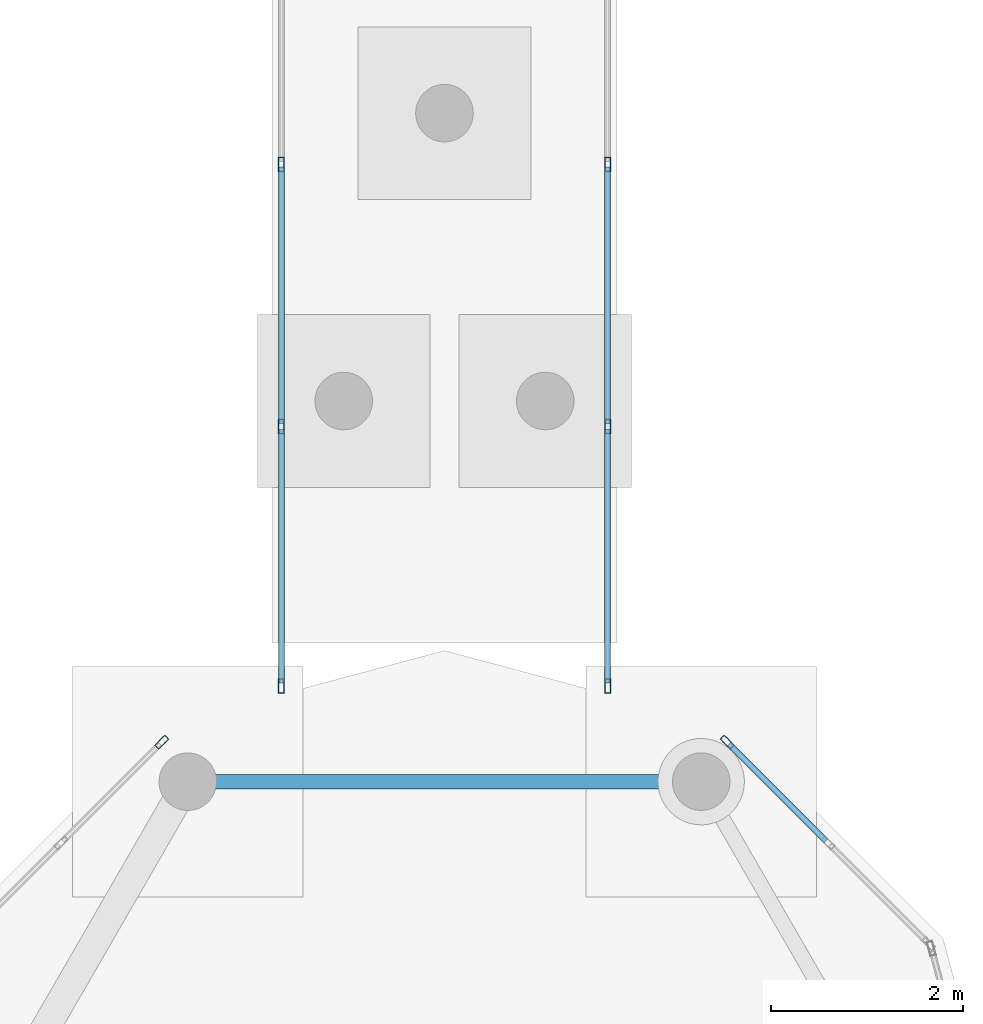
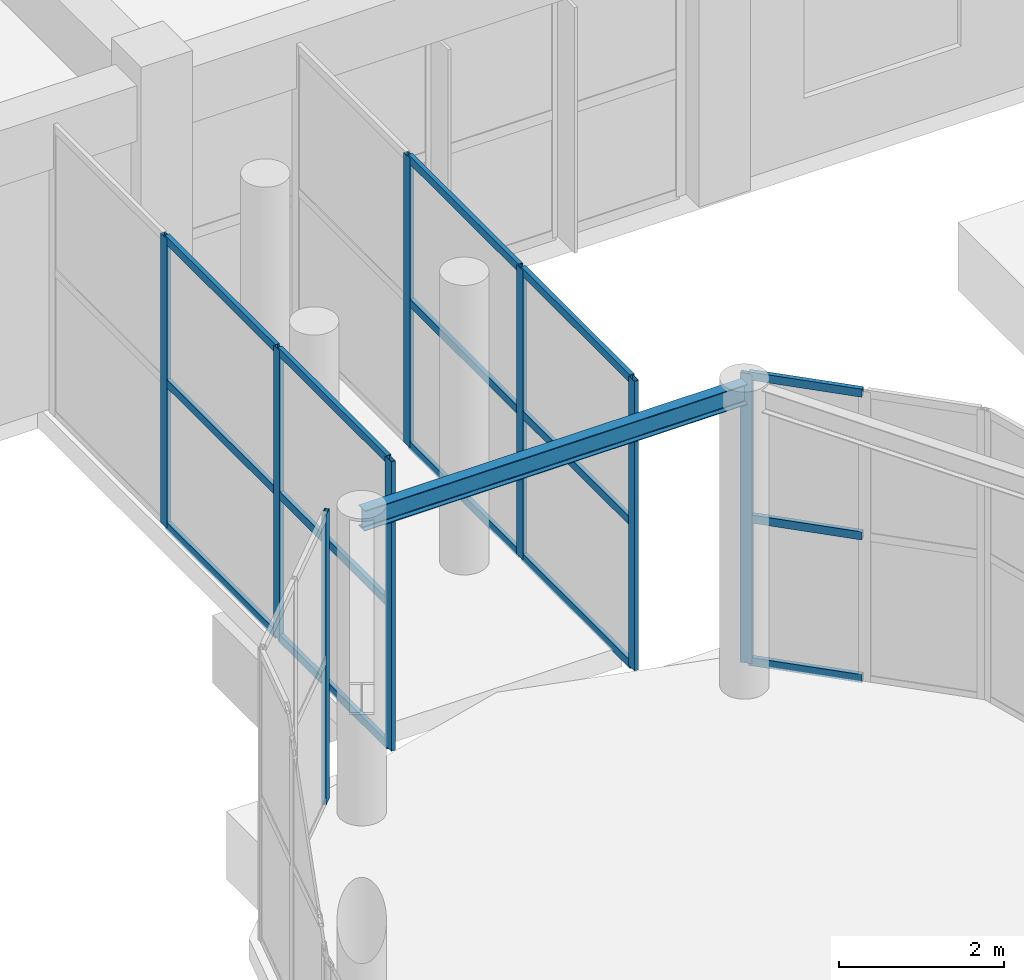
# One storey, part 61 of 139: 23 members, 1 beam, 4 elements without a shape of their own.
"""IFC4 building model written with IfcOpenShell, lengths in metres."""

import ifcopenshell
import ifcopenshell.guid

model = None  # the IFC model being written
_history = None  # IfcOwnerHistory: only IFC2X3 demands one
_inside = {}  # id of a spatial element -> (the spatial element, [elements in it])
_under = {}  # id of a project, library or spatial element -> (it, [spatial elements below it])
_declared = {}  # id of a project -> (the project, [libraries it declares])
_typed = {}  # id of a type object -> (the type object, [elements of that type])
_made_of = {}  # id of a material, layer set ... -> (it, [elements and type objects made of it])


def new_model(schema):
    """Start an empty IFC model of exactly this schema.

    Asked for "IFC4X3", IfcOpenShell would pick the latest addendum, in which some entities
    have other attributes; the version numbers below select the first issue.
    IFC2X3 requires an IfcOwnerHistory on every rooted entity: one is made here for all.
    """
    global model, _history
    if schema == "IFC4X3":
        model = ifcopenshell.file(schema_version=(4, 3, 0, 0))
    else:
        model = ifcopenshell.file(schema=schema)
    _inside.clear()
    _under.clear()
    _declared.clear()
    _typed.clear()
    _made_of.clear()
    _history = None
    if model.schema == "IFC2X3":
        org = make("IfcOrganization", Name="unknown")
        user = make(
            "IfcPersonAndOrganization",
            ThePerson=make("IfcPerson", FamilyName="unknown"),
            TheOrganization=org,
        )
        app = make(
            "IfcApplication",
            ApplicationDeveloper=org,
            Version="unknown",
            ApplicationFullName="unknown",
            ApplicationIdentifier="unknown",
        )
        _history = make(
            "IfcOwnerHistory",
            OwningUser=user,
            OwningApplication=app,
            ChangeAction="ADDED",
            CreationDate=0,
        )
    return model


def make(cls, **values):
    """One entity of the class cls with the attributes given. An attribute that is None is left unset."""
    return model.create_entity(
        cls, **{name: value for name, value in values.items() if value is not None}
    )


def rooted(cls, **values):
    """An entity with a GlobalId (a new one), such as an element, a storey or a relation."""
    return make(cls, GlobalId=ifcopenshell.guid.new(), OwnerHistory=_history, **values)


def si_unit(unit_type, name, prefix=None):
    """IfcSIUnit, for example si_unit("LENGTHUNIT", "METRE", prefix="MILLI")."""
    return make("IfcSIUnit", UnitType=unit_type, Prefix=prefix, Name=name)


def assignment(units):
    """IfcUnitAssignment: the units of a project."""
    return None if units is None else make("IfcUnitAssignment", Units=units)


def point(xyz):
    """IfcCartesianPoint."""
    return None if xyz is None else make("IfcCartesianPoint", Coordinates=xyz)


def direction(xyz):
    """IfcDirection."""
    return None if xyz is None else make("IfcDirection", DirectionRatios=xyz)


def frame(location, z_axis=None, x_axis=None):
    """IfcAxis2Placement3D, a coordinate frame: its origin and axes. An axis left out is left unset."""
    return make(
        "IfcAxis2Placement3D",
        Location=point(location),
        Axis=direction(z_axis),
        RefDirection=direction(x_axis),
    )


def frame_2d(location, x_axis=None):
    """IfcAxis2Placement2D, a coordinate frame in the plane: its origin and x axis."""
    return make(
        "IfcAxis2Placement2D", Location=point(location), RefDirection=direction(x_axis)
    )


def origin():
    """The frame at (0, 0, 0) with its axes left unset."""
    return frame((0.0, 0.0, 0.0))


def origin_2d():
    """The frame at (0, 0) in the plane with its x axis left unset."""
    return frame_2d((0.0, 0.0))


def place(relative_to, where):
    """IfcLocalPlacement: puts the frame where relative to a parent placement (None: the world)."""
    return make(
        "IfcLocalPlacement", PlacementRelTo=relative_to, RelativePlacement=where
    )


def context(
    kind, dimensions, precision=None, world=None, true_north=None, identifier=None
):
    """IfcGeometricRepresentationContext, for example the 3D "Model" context."""
    return make(
        "IfcGeometricRepresentationContext",
        ContextIdentifier=identifier,
        ContextType=kind,
        CoordinateSpaceDimension=dimensions,
        Precision=precision,
        WorldCoordinateSystem=world,
        TrueNorth=true_north,
    )


def subcontext(parent, identifier, kind, view, scale=None):
    """IfcGeometricRepresentationSubContext, for example "Body" below "Model"."""
    return make(
        "IfcGeometricRepresentationSubContext",
        ContextIdentifier=identifier,
        ContextType=kind,
        ParentContext=parent,
        TargetScale=scale,
        TargetView=view,
    )


def project(units=None, contexts=None):
    """IfcProject with its units and contexts."""
    return rooted(
        "IfcProject",
        Name="project",
        RepresentationContexts=contexts,
        UnitsInContext=assignment(units),
    )


def spatial(cls, under=None, at=None, **own):
    """A site, building, storey or space (cls), placed at a placement, below another one or the project."""
    s = rooted(cls, ObjectPlacement=at, **own)
    if under is not None:
        _under.setdefault(under.id(), (under, []))[1].append(s)
    return s


def profile(cls, at=None, kind="AREA", **sizes):
    """A parametric profile (cls). Its sizes go by their IFC names, for example OverallWidth=200.0."""
    return make(cls, ProfileType=kind, Position=at, **sizes)


def hollow_rectangle(**sizes):
    """IfcRectangleHollowProfileDef."""
    return profile("IfcRectangleHollowProfileDef", **sizes)


def i_section(**sizes):
    """IfcIShapeProfileDef."""
    return profile("IfcIShapeProfileDef", **sizes)


def extrude(swept, where, along, depth):
    """IfcExtrudedAreaSolid: the profile swept, set in the frame where, extruded along a direction by depth."""
    return make(
        "IfcExtrudedAreaSolid",
        SweptArea=swept,
        Position=where,
        ExtrudedDirection=direction(along),
        Depth=depth,
    )


def shape(context_of_items, identifier, shape_type, items):
    """IfcShapeRepresentation: the items that make up one representation, for example the "Body"."""
    return make(
        "IfcShapeRepresentation",
        ContextOfItems=context_of_items,
        RepresentationIdentifier=identifier,
        RepresentationType=shape_type,
        Items=items,
    )


def material(Name=None, Category=None):
    """IfcMaterial."""
    return make("IfcMaterial", Name=Name, Category=Category)


def layer(
    of_material, thickness, ventilated=None, Name=None, Category=None, Priority=None
):
    """IfcMaterialLayer: one layer of a wall or slab, of a material (None: an air gap)."""
    return make(
        "IfcMaterialLayer",
        Material=of_material,
        LayerThickness=thickness,
        IsVentilated=ventilated,
        Name=Name,
        Category=Category,
        Priority=Priority,
    )


def layer_set(layers, Name=None):
    """IfcMaterialLayerSet."""
    return make("IfcMaterialLayerSet", MaterialLayers=layers, LayerSetName=Name)


def material_profile(
    of_material, cross_section, Name=None, Category=None, Priority=None
):
    """IfcMaterialProfile: a cross section and its material."""
    return make(
        "IfcMaterialProfile",
        Name=Name,
        Material=of_material,
        Profile=cross_section,
        Priority=Priority,
        Category=Category,
    )


def profile_set(profiles, Name=None, composite=None):
    """IfcMaterialProfileSet."""
    return make(
        "IfcMaterialProfileSet",
        Name=Name,
        MaterialProfiles=profiles,
        CompositeProfile=composite,
    )


def made_of(thing, what):
    """Note that an element or type object is made of a material, layer set ...; save() writes the relation."""
    if what is not None:
        _made_of.setdefault(what.id(), (what, []))[1].append(thing)
    return thing


def type_object(cls, material=None, **own):
    """A type object (cls), such as IfcWallType, which elements share."""
    return made_of(rooted(cls, **own), material)


def element(
    cls,
    number,
    at=None,
    inside=None,
    cuts=None,
    type_object=None,
    material=None,
    context=None,
    identifier="Body",
    shape_type=None,
    held_by="IfcProductDefinitionShape",
    body=None,
    shapes=None,
    **own,
):
    """One element of the class cls, such as IfcWall. Its Tag is "e" and its number.

    at: its placement. inside: the storey or other place that contains it. cuts: it is an
    opening in that element (IfcRelVoidsElement). A single representation is given by context,
    identifier, shape_type and body (its items); several are given by shapes. held_by: the class
    of the entity that holds the representations. save() writes the other relations.
    """
    e = rooted(cls, Tag="e%d" % number, ObjectPlacement=at, **own)
    if body is not None:
        shapes = [shape(context, identifier, shape_type, body)]
    if shapes is not None:
        e.Representation = make(held_by, Representations=shapes)
    if inside is not None:
        _inside.setdefault(inside.id(), (inside, []))[1].append(e)
    if cuts is not None:
        rooted(
            "IfcRelVoidsElement", RelatingBuildingElement=cuts, RelatedOpeningElement=e
        )
    if type_object is not None:
        _typed.setdefault(type_object.id(), (type_object, []))[1].append(e)
    return made_of(e, material)


def aggregate(whole, parts):
    """IfcRelAggregates: a whole, such as a stair, and the parts it consists of."""
    return rooted("IfcRelAggregates", RelatingObject=whole, RelatedObjects=parts)


def save(model, path):
    """Write the relations noted so far, then the file.

    IfcRelAggregates (storeys below a building ...), IfcRelContainedInSpatialStructure (elements
    in a storey), IfcRelDefinesByType, IfcRelAssociatesMaterial and IfcRelDeclares: one each for
    every whole, place, type object, material and project.
    """
    for whole, parts in _under.values():
        aggregate(whole, parts)
    for where, things in _inside.values():
        rooted(
            "IfcRelContainedInSpatialStructure",
            RelatedElements=things,
            RelatingStructure=where,
        )
    for kind, things in _typed.values():
        rooted("IfcRelDefinesByType", RelatedObjects=things, RelatingType=kind)
    for what, things in _made_of.values():
        rooted("IfcRelAssociatesMaterial", RelatedObjects=things, RelatingMaterial=what)
    for by, libraries in _declared.values():
        rooted("IfcRelDeclares", RelatingContext=by, RelatedDefinitions=libraries)
    model.write(path)


model = new_model("IFC4")

# Units and contexts
model_context = context("Model", 3, precision=1e-05, world=origin(), true_north=direction((0.0, 1.0)))
body_context = subcontext(model_context, "Body", "Model", "MODEL_VIEW")
ifc_project = project(units=[si_unit("LENGTHUNIT", "METRE"), si_unit("AREAUNIT", "SQUARE_METRE"), si_unit("VOLUMEUNIT", "CUBIC_METRE"), si_unit("PLANEANGLEUNIT", "RADIAN"), si_unit("MASSUNIT", "GRAM", prefix="KILO")], contexts=[model_context])

# Site, building, storey
site_placement = place(None, origin())
site = spatial("IfcSite", under=ifc_project, at=site_placement, CompositionType="ELEMENT")
building_placement = place(site_placement, origin())
building = spatial("IfcBuilding", under=site, at=building_placement, Name="Zizhar Promenade General Hospital", CompositionType="ELEMENT")
storey_placement = place(building_placement, origin())
storey = spatial("IfcBuildingStorey", under=building, at=storey_placement, Name="L00", CompositionType="ELEMENT", Elevation=0.0)

# Beam
ifc_material_1 = material(Name="Steel S355", Category="steel")
ifc_material_profile_1 = material_profile(ifc_material_1, i_section(OverallWidth=0.14990234375, OverallDepth=0.300048828125, WebThickness=0.007080078125, FlangeThickness=0.0107421875, FilletRadius=0.014892578125, at=origin_2d()))
ifc_profile_set_1 = profile_set([ifc_material_profile_1], Name="Steel S355")
beam_type = type_object("IfcBeamType", Name="BM-STL-IPE300", PredefinedType="JOIST", material=ifc_profile_set_1)
beam_placement = place(storey_placement, frame((166.675048828125, 32.63330078125, 4.340087890625), z_axis=(-1.0, 0.0, 0.0), x_axis=(0.0, -1.0, 0.0)))
element("IfcBeam", 1, at=beam_placement, inside=storey, type_object=beam_type, Name="PAV-2 Roof Ring Beam 2", PredefinedType="JOIST", context=body_context, shape_type="SweptSolid", body=[
    extrude(i_section(OverallWidth=0.14990234375, OverallDepth=0.300048828125, WebThickness=0.007080078125, FlangeThickness=0.0107421875, FilletRadius=0.014892578125, at=origin_2d()), origin(), (0.0, 0.0, 1.0), 5.35009765625),
])

# Curtain wall, member
ifc_material_2 = material(Name="Anodised aluminium 6063-T6 and low-E glass", Category="aluminium")
ifc_layer = layer(ifc_material_2, 0.159912109375)
ifc_layer_set = layer_set([ifc_layer], Name="Anodised aluminium 6063-T6 and low-E glass")
curtain_wall_type = type_object("IfcCurtainWallType", Name="CW-PAV-GLZ", PredefinedType="NOTDEFINED", material=ifc_layer_set)
curtain_wall_1_placement = place(storey_placement, origin())
curtain_wall_1 = element("IfcCurtainWall", 2, at=curtain_wall_1_placement, inside=storey, type_object=curtain_wall_type, Name="Pharmacy Collection Pavilion Curved Glazing 2", PredefinedType="NOTDEFINED")
ifc_material_3 = material(Name="Anodised aluminium 6063-T6", Category="aluminium")
ifc_material_profile_2 = material_profile(ifc_material_3, hollow_rectangle(XDim=0.06005859375, YDim=0.14990234375, WallThickness=0.00390625, at=origin_2d()))
ifc_profile_set_2 = profile_set([ifc_material_profile_2], Name="Anodised aluminium 6063-T6")
member_type_1 = type_object("IfcMemberType", Name="CWM-ALU-150x60", PredefinedType="MULLION", material=ifc_profile_set_2)
member_1_placement = place(storey_placement, frame((166.9462890625, 33.044921875, 0.0), z_axis=(0.0, 0.0, 1.0), x_axis=(0.707106781187, 0.707106781187, 0.0)))
member_1 = element("IfcMember", 3, at=member_1_placement, type_object=member_type_1, Name="CW-14 mullion 1", PredefinedType="MULLION", context=body_context, shape_type="SweptSolid", body=[
    extrude(hollow_rectangle(XDim=0.06005859375, YDim=0.14990234375, WallThickness=0.00390625, at=origin_2d()), origin(), (0.0, 0.0, 1.0), 4.280029296875),
])

curtain_wall_2_placement = place(storey_placement, origin())
curtain_wall_2 = element("IfcCurtainWall", 4, at=curtain_wall_2_placement, inside=storey, type_object=curtain_wall_type, Name="Pharmacy Collection Pavilion Curved Glazing 5", PredefinedType="NOTDEFINED")
member_2_placement = place(storey_placement, frame((161.0537109375, 33.044921875, 0.0), z_axis=(0.0, 0.0, 1.0), x_axis=(-0.707106781187, 0.707106781187, 0.0)))
member_2 = element("IfcMember", 5, at=member_2_placement, type_object=member_type_1, Name="CW-14 mullion 3", PredefinedType="MULLION", context=body_context, shape_type="SweptSolid", body=[
    extrude(hollow_rectangle(XDim=0.06005859375, YDim=0.14990234375, WallThickness=0.00390625, at=origin_2d()), origin(), (0.0, 0.0, 1.0), 4.280029296875),
])
aggregate(curtain_wall_2, [member_2])

# Curtain wall, members
curtain_wall_3_placement = place(storey_placement, origin())
curtain_wall_3 = element("IfcCurtainWall", 6, at=curtain_wall_3_placement, inside=storey, type_object=curtain_wall_type, Name="Pharmacy Collection Pavilion Link West Glazing", PredefinedType="NOTDEFINED")
member_3_placement = place(storey_placement, frame((162.300048828125, 33.6298828125, 0.0), z_axis=(0.0, 0.0, 1.0), x_axis=(-1.0, 0.0, 0.0)))
member_3 = element("IfcMember", 7, at=member_3_placement, type_object=member_type_1, Name="CW-14 mullion 1", PredefinedType="MULLION", context=body_context, shape_type="SweptSolid", body=[
    extrude(hollow_rectangle(XDim=0.06005859375, YDim=0.14990234375, WallThickness=0.00390625, at=origin_2d()), origin(), (0.0, 0.0, 1.0), 4.280029296875),
])
member_4_placement = place(storey_placement, frame((162.300048828125, 36.333251953125, 0.0), z_axis=(0.0, 0.0, 1.0), x_axis=(-1.0, 0.0, 0.0)))
member_4 = element("IfcMember", 8, at=member_4_placement, type_object=member_type_1, Name="CW-14 mullion 2", PredefinedType="MULLION", context=body_context, shape_type="SweptSolid", body=[
    extrude(hollow_rectangle(XDim=0.06005859375, YDim=0.14990234375, WallThickness=0.00390625, at=origin_2d()), origin(), (0.0, 0.0, 1.0), 4.280029296875),
])
member_5_placement = place(storey_placement, frame((162.300048828125, 39.066650390625, 0.0), z_axis=(0.0, 0.0, 1.0), x_axis=(-1.0, 0.0, 0.0)))
member_5 = element("IfcMember", 9, at=member_5_placement, type_object=member_type_1, Name="CW-14 mullion 3", PredefinedType="MULLION", context=body_context, shape_type="SweptSolid", body=[
    extrude(hollow_rectangle(XDim=0.06005859375, YDim=0.14990234375, WallThickness=0.00390625, at=origin_2d()), origin(), (0.0, 0.0, 1.0), 4.280029296875),
])

curtain_wall_4_placement = place(storey_placement, origin())
curtain_wall_4 = element("IfcCurtainWall", 10, at=curtain_wall_4_placement, inside=storey, type_object=curtain_wall_type, Name="Pharmacy Collection Pavilion Link East Glazing", PredefinedType="NOTDEFINED")
member_6_placement = place(storey_placement, frame((165.699951171875, 39.066650390625, 0.0), z_axis=(0.0, 0.0, 1.0), x_axis=(1.0, 0.0, 0.0)))
member_6 = element("IfcMember", 11, at=member_6_placement, type_object=member_type_1, Name="CW-14 mullion 2", PredefinedType="MULLION", context=body_context, shape_type="SweptSolid", body=[
    extrude(hollow_rectangle(XDim=0.06005859375, YDim=0.14990234375, WallThickness=0.00390625, at=origin_2d()), origin(), (0.0, 0.0, 1.0), 4.280029296875),
])
member_7_placement = place(storey_placement, frame((165.699951171875, 36.333251953125, 0.0), z_axis=(0.0, 0.0, 1.0), x_axis=(1.0, 0.0, 0.0)))
member_7 = element("IfcMember", 12, at=member_7_placement, type_object=member_type_1, Name="CW-14 mullion 3", PredefinedType="MULLION", context=body_context, shape_type="SweptSolid", body=[
    extrude(hollow_rectangle(XDim=0.06005859375, YDim=0.14990234375, WallThickness=0.00390625, at=origin_2d()), origin(), (0.0, 0.0, 1.0), 4.280029296875),
])
member_8_placement = place(storey_placement, frame((165.699951171875, 33.6298828125, 0.0), z_axis=(0.0, 0.0, 1.0), x_axis=(1.0, 0.0, 0.0)))
member_8 = element("IfcMember", 13, at=member_8_placement, type_object=member_type_1, Name="CW-14 mullion 4", PredefinedType="MULLION", context=body_context, shape_type="SweptSolid", body=[
    extrude(hollow_rectangle(XDim=0.06005859375, YDim=0.14990234375, WallThickness=0.00390625, at=origin_2d()), origin(), (0.0, 0.0, 1.0), 4.280029296875),
])

# Member
ifc_material_4 = material(Name="Anodised aluminium 6063-T6", Category="aluminium")
ifc_material_profile_3 = material_profile(ifc_material_4, hollow_rectangle(XDim=0.06005859375, YDim=0.1201171875, WallThickness=0.00390625, at=origin_2d()))
ifc_profile_set_3 = profile_set([ifc_material_profile_3], Name="Anodised aluminium 6063-T6")
member_type_2 = type_object("IfcMemberType", Name="CWT-ALU-120x60", PredefinedType="USERDEFINED", material=ifc_profile_set_3)
member_9_placement = place(storey_placement, frame((166.967529296875, 33.023681640625, 0.030029296875), z_axis=(0.707106781187, -0.707106781187, 0.0), x_axis=(0.707106781187, 0.707106781187, 0.0)))
member_9 = element("IfcMember", 14, at=member_9_placement, type_object=member_type_2, Name="CW-14 transom 1.1", ObjectType="TRANSOM", PredefinedType="USERDEFINED", context=body_context, shape_type="SweptSolid", body=[
    extrude(hollow_rectangle(XDim=0.06005859375, YDim=0.1201171875, WallThickness=0.00390625, at=origin_2d()), origin(), (0.0, 0.0, 1.0), 1.423828125),
])

member_10_placement = place(storey_placement, frame((166.967529296875, 33.023681640625, 2.139892578125), z_axis=(0.707106781187, -0.707106781187, 0.0), x_axis=(0.707106781187, 0.707106781187, 0.0)))
member_10 = element("IfcMember", 15, at=member_10_placement, type_object=member_type_2, Name="CW-14 transom 1.2", ObjectType="TRANSOM", PredefinedType="USERDEFINED", context=body_context, shape_type="SweptSolid", body=[
    extrude(hollow_rectangle(XDim=0.06005859375, YDim=0.1201171875, WallThickness=0.00390625, at=origin_2d()), origin(), (0.0, 0.0, 1.0), 1.423828125),
])

member_11_placement = place(storey_placement, frame((166.967529296875, 33.023681640625, 4.25), z_axis=(0.707106781187, -0.707106781187, 0.0), x_axis=(0.707106781187, 0.707106781187, 0.0)))
member_11 = element("IfcMember", 16, at=member_11_placement, type_object=member_type_2, Name="CW-14 transom 1.3", ObjectType="TRANSOM", PredefinedType="USERDEFINED", context=body_context, shape_type="SweptSolid", body=[
    extrude(hollow_rectangle(XDim=0.06005859375, YDim=0.1201171875, WallThickness=0.00390625, at=origin_2d()), origin(), (0.0, 0.0, 1.0), 1.423828125),
])

aggregate(curtain_wall_1, [member_1, member_9, member_10, member_11])

member_12_placement = place(storey_placement, frame((162.300048828125, 33.659912109375, 0.030029296875), z_axis=(0.0, 1.0, 0.0), x_axis=(-1.0, 0.0, 0.0)))
member_12 = element("IfcMember", 17, at=member_12_placement, type_object=member_type_2, Name="CW-14 transom 1.1", ObjectType="TRANSOM", PredefinedType="USERDEFINED", context=body_context, shape_type="SweptSolid", body=[
    extrude(hollow_rectangle(XDim=0.06005859375, YDim=0.1201171875, WallThickness=0.00390625, at=origin_2d()), origin(), (0.0, 0.0, 1.0), 2.643310546875),
])

member_13_placement = place(storey_placement, frame((162.300048828125, 33.659912109375, 2.139892578125), z_axis=(0.0, 1.0, 0.0), x_axis=(-1.0, 0.0, 0.0)))
member_13 = element("IfcMember", 18, at=member_13_placement, type_object=member_type_2, Name="CW-14 transom 1.2", ObjectType="TRANSOM", PredefinedType="USERDEFINED", context=body_context, shape_type="SweptSolid", body=[
    extrude(hollow_rectangle(XDim=0.06005859375, YDim=0.1201171875, WallThickness=0.00390625, at=origin_2d()), origin(), (0.0, 0.0, 1.0), 2.643310546875),
])

member_14_placement = place(storey_placement, frame((162.300048828125, 33.659912109375, 4.25), z_axis=(0.0, 1.0, 0.0), x_axis=(-1.0, 0.0, 0.0)))
member_14 = element("IfcMember", 19, at=member_14_placement, type_object=member_type_2, Name="CW-14 transom 1.3", ObjectType="TRANSOM", PredefinedType="USERDEFINED", context=body_context, shape_type="SweptSolid", body=[
    extrude(hollow_rectangle(XDim=0.06005859375, YDim=0.1201171875, WallThickness=0.00390625, at=origin_2d()), origin(), (0.0, 0.0, 1.0), 2.643310546875),
])

member_15_placement = place(storey_placement, frame((162.300048828125, 36.36328125, 0.030029296875), z_axis=(0.0, 1.0, 0.0), x_axis=(-1.0, 0.0, 0.0)))
member_15 = element("IfcMember", 20, at=member_15_placement, type_object=member_type_2, Name="CW-14 transom 2.1", ObjectType="TRANSOM", PredefinedType="USERDEFINED", context=body_context, shape_type="SweptSolid", body=[
    extrude(hollow_rectangle(XDim=0.06005859375, YDim=0.1201171875, WallThickness=0.00390625, at=origin_2d()), origin(), (0.0, 0.0, 1.0), 2.67333984375),
])

member_16_placement = place(storey_placement, frame((162.300048828125, 36.36328125, 2.139892578125), z_axis=(0.0, 1.0, 0.0), x_axis=(-1.0, 0.0, 0.0)))
member_16 = element("IfcMember", 21, at=member_16_placement, type_object=member_type_2, Name="CW-14 transom 2.2", ObjectType="TRANSOM", PredefinedType="USERDEFINED", context=body_context, shape_type="SweptSolid", body=[
    extrude(hollow_rectangle(XDim=0.06005859375, YDim=0.1201171875, WallThickness=0.00390625, at=origin_2d()), origin(), (0.0, 0.0, 1.0), 2.67333984375),
])

member_17_placement = place(storey_placement, frame((162.300048828125, 36.36328125, 4.25), z_axis=(0.0, 1.0, 0.0), x_axis=(-1.0, 0.0, 0.0)))
member_17 = element("IfcMember", 22, at=member_17_placement, type_object=member_type_2, Name="CW-14 transom 2.3", ObjectType="TRANSOM", PredefinedType="USERDEFINED", context=body_context, shape_type="SweptSolid", body=[
    extrude(hollow_rectangle(XDim=0.06005859375, YDim=0.1201171875, WallThickness=0.00390625, at=origin_2d()), origin(), (0.0, 0.0, 1.0), 2.67333984375),
])

aggregate(curtain_wall_3, [member_3, member_4, member_5, member_12, member_13, member_14, member_15, member_16, member_17])

member_18_placement = place(storey_placement, frame((165.699951171875, 39.03662109375, 0.030029296875), z_axis=(0.0, -1.0, 0.0), x_axis=(1.0, 0.0, 0.0)))
member_18 = element("IfcMember", 23, at=member_18_placement, type_object=member_type_2, Name="CW-14 transom 2.1", ObjectType="TRANSOM", PredefinedType="USERDEFINED", context=body_context, shape_type="SweptSolid", body=[
    extrude(hollow_rectangle(XDim=0.06005859375, YDim=0.1201171875, WallThickness=0.00390625, at=origin_2d()), origin(), (0.0, 0.0, 1.0), 2.67333984375),
])

member_19_placement = place(storey_placement, frame((165.699951171875, 39.03662109375, 2.139892578125), z_axis=(0.0, -1.0, 0.0), x_axis=(1.0, 0.0, 0.0)))
member_19 = element("IfcMember", 24, at=member_19_placement, type_object=member_type_2, Name="CW-14 transom 2.2", ObjectType="TRANSOM", PredefinedType="USERDEFINED", context=body_context, shape_type="SweptSolid", body=[
    extrude(hollow_rectangle(XDim=0.06005859375, YDim=0.1201171875, WallThickness=0.00390625, at=origin_2d()), origin(), (0.0, 0.0, 1.0), 2.67333984375),
])

member_20_placement = place(storey_placement, frame((165.699951171875, 39.03662109375, 4.25), z_axis=(0.0, -1.0, 0.0), x_axis=(1.0, 0.0, 0.0)))
member_20 = element("IfcMember", 25, at=member_20_placement, type_object=member_type_2, Name="CW-14 transom 2.3", ObjectType="TRANSOM", PredefinedType="USERDEFINED", context=body_context, shape_type="SweptSolid", body=[
    extrude(hollow_rectangle(XDim=0.06005859375, YDim=0.1201171875, WallThickness=0.00390625, at=origin_2d()), origin(), (0.0, 0.0, 1.0), 2.67333984375),
])

member_21_placement = place(storey_placement, frame((165.699951171875, 36.30322265625, 0.030029296875), z_axis=(0.0, -1.0, 0.0), x_axis=(1.0, 0.0, 0.0)))
member_21 = element("IfcMember", 26, at=member_21_placement, type_object=member_type_2, Name="CW-14 transom 3.1", ObjectType="TRANSOM", PredefinedType="USERDEFINED", context=body_context, shape_type="SweptSolid", body=[
    extrude(hollow_rectangle(XDim=0.06005859375, YDim=0.1201171875, WallThickness=0.00390625, at=origin_2d()), origin(), (0.0, 0.0, 1.0), 2.643310546875),
])

member_22_placement = place(storey_placement, frame((165.699951171875, 36.30322265625, 2.139892578125), z_axis=(0.0, -1.0, 0.0), x_axis=(1.0, 0.0, 0.0)))
member_22 = element("IfcMember", 27, at=member_22_placement, type_object=member_type_2, Name="CW-14 transom 3.2", ObjectType="TRANSOM", PredefinedType="USERDEFINED", context=body_context, shape_type="SweptSolid", body=[
    extrude(hollow_rectangle(XDim=0.06005859375, YDim=0.1201171875, WallThickness=0.00390625, at=origin_2d()), origin(), (0.0, 0.0, 1.0), 2.643310546875),
])

member_23_placement = place(storey_placement, frame((165.699951171875, 36.30322265625, 4.25), z_axis=(0.0, -1.0, 0.0), x_axis=(1.0, 0.0, 0.0)))
member_23 = element("IfcMember", 28, at=member_23_placement, type_object=member_type_2, Name="CW-14 transom 3.3", ObjectType="TRANSOM", PredefinedType="USERDEFINED", context=body_context, shape_type="SweptSolid", body=[
    extrude(hollow_rectangle(XDim=0.06005859375, YDim=0.1201171875, WallThickness=0.00390625, at=origin_2d()), origin(), (0.0, 0.0, 1.0), 2.643310546875),
])

aggregate(curtain_wall_4, [member_6, member_7, member_8, member_18, member_19, member_20, member_21, member_22, member_23])

save(model, "model.ifc")
